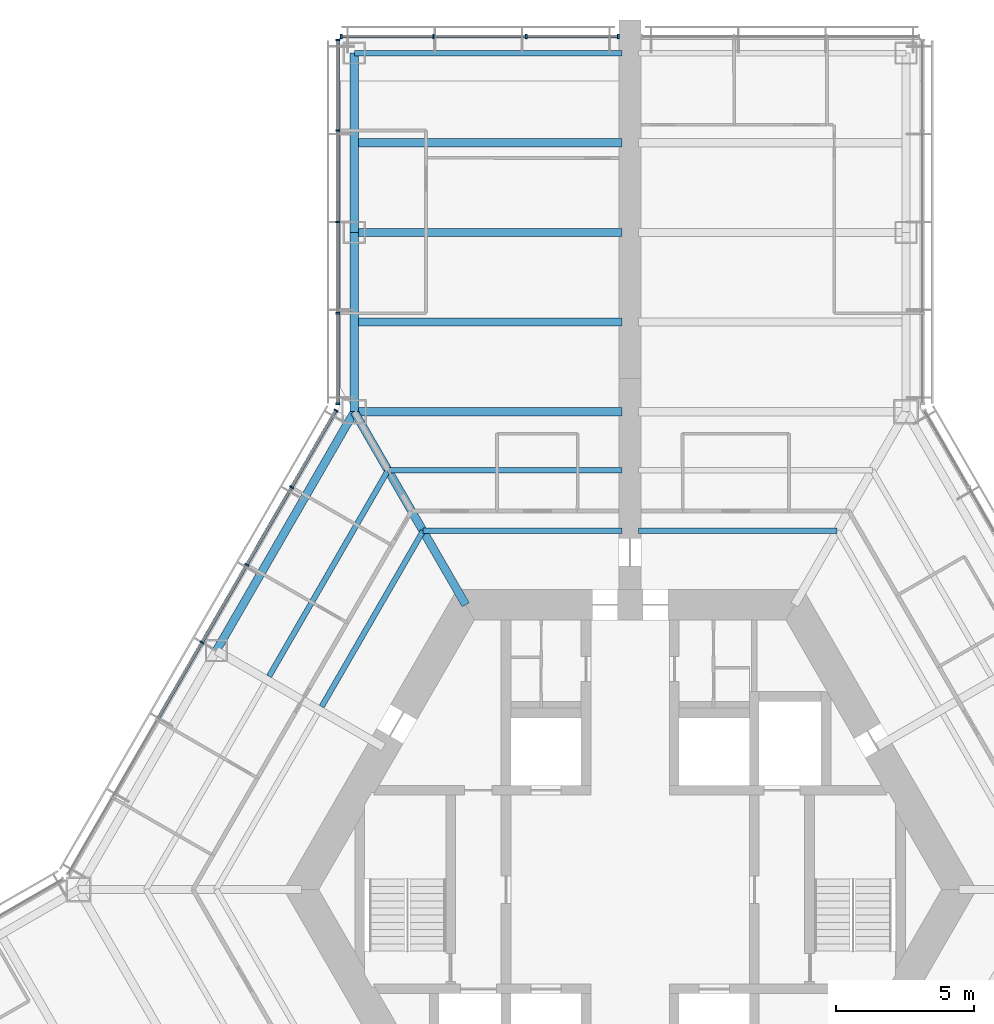
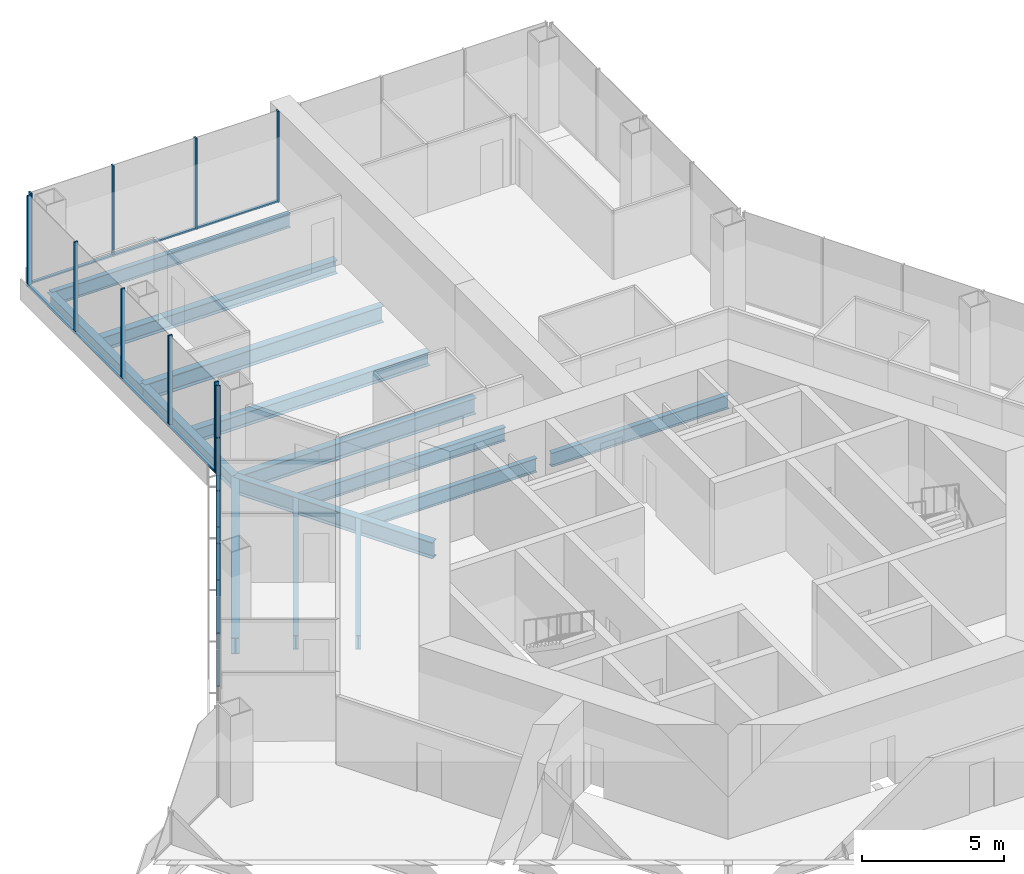
# One storey, part 7 of 19: 24 members, 14 beams, 3 elements without a shape of their own.
"""IFC4 building model written with IfcOpenShell, lengths in metres."""

from ifc_helpers import new_model, si_unit, direction, frame, origin, origin_2d, place, context, subcontext, project, spatial, rectangle, i_section, extrude, material, material_profile, profile_set, type_object, element, aggregate, save


model = new_model("IFC4")

# Units and contexts
model_context = context("Model", 3, precision=1e-05, world=origin(), true_north=direction((0.0, 1.0)))
body_context = subcontext(model_context, "Body", "Model", "MODEL_VIEW")
ifc_project = project(units=[si_unit("LENGTHUNIT", "METRE"), si_unit("AREAUNIT", "SQUARE_METRE"), si_unit("VOLUMEUNIT", "CUBIC_METRE"), si_unit("PLANEANGLEUNIT", "RADIAN"), si_unit("MASSUNIT", "GRAM", prefix="KILO")], contexts=[model_context])

# Site, building, storey
site_placement = place(None, origin())
site = spatial("IfcSite", under=ifc_project, at=site_placement, CompositionType="ELEMENT")
building_placement = place(site_placement, origin())
building = spatial("IfcBuilding", under=site, at=building_placement, Name="Kasaneha Research Tower", CompositionType="ELEMENT")
storey_placement = place(building_placement, frame((0.0, 0.0, 104.10009765625)))
storey = spatial("IfcBuildingStorey", under=building, at=storey_placement, Name="L26", CompositionType="ELEMENT", Elevation=104.10009765625)

# Beams
ifc_material_1 = material(Name="Steel SN490B", Category="steel")
ifc_material_profile_1 = material_profile(ifc_material_1, i_section(OverallWidth=0.199951171875, OverallDepth=0.60009765625, WebThickness=0.010986328125, FlangeThickness=0.01708984375, FilletRadius=0.012939453125, at=origin_2d()), Name="H-600x200x11x17")
ifc_profile_set_1 = profile_set([ifc_material_profile_1], Name="Steel SN490B")
beam_type_1 = type_object("IfcBeamType", Name="B1-3 secondary beam H-600x200x11x17", PredefinedType="JOIST", material=ifc_profile_set_1)
for number, where, z_axis, x_axis, name in (
    (1, (7.505615234375, 13.0, -0.4501953125), (-1.0, 0.0, 0.0), (0.0, -1.0, 0.0), "Secondary beam RS090L1 L26"),
    (2, (-7.505615234375, 13.0, -0.4501953125), (1.0, 0.0, 0.0), (0.0, 1.0, 0.0), "Secondary beam RS090R1 L26"),
):
    element("IfcBeam", number, at=place(storey_placement, frame(where, z_axis=z_axis, x_axis=x_axis)), inside=storey, type_object=beam_type_1, Name=name, PredefinedType="JOIST", context=body_context, shape_type="SweptSolid", body=[
        extrude(i_section(OverallWidth=0.199951171875, OverallDepth=0.60009765625, WebThickness=0.010986328125, FlangeThickness=0.01708984375, FilletRadius=0.012939453125, at=origin_2d()), origin(), (0.0, 0.0, 1.0), 7.20556640625),
    ])
beam_1_placement = place(storey_placement, frame((-8.775634765625, 15.199951171875, -0.4501953125), z_axis=(1.0, 0.0, 0.0), x_axis=(0.0, 1.0, 0.0)))
element("IfcBeam", 3, at=beam_1_placement, inside=storey, type_object=beam_type_1, Name="Secondary beam RS090R2 L26", PredefinedType="JOIST", context=body_context, shape_type="SweptSolid", body=[
    extrude(i_section(OverallWidth=0.199951171875, OverallDepth=0.60009765625, WebThickness=0.010986328125, FlangeThickness=0.01708984375, FilletRadius=0.012939453125, at=origin_2d()), origin(), (0.0, 0.0, 1.0), 8.4755859375),
])
beam_2_placement = place(storey_placement, frame((-7.505615234375, 13.0, -0.4501953125), z_axis=(-0.499994443168, -0.866028611999, 0.0), x_axis=(0.866028611999, -0.499994443168, 0.0)))
element("IfcBeam", 4, at=beam_2_placement, inside=storey, type_object=beam_type_1, Name="Secondary beam RS150L1 L26", PredefinedType="JOIST", context=body_context, shape_type="SweptSolid", body=[
    extrude(i_section(OverallWidth=0.199951171875, OverallDepth=0.60009765625, WebThickness=0.010986328125, FlangeThickness=0.01708984375, FilletRadius=0.012939453125, at=origin_2d()), origin(), (0.0, 0.0, 1.0), 7.35546875),
])
beam_3_placement = place(storey_placement, frame((-8.775634765625, 15.199951171875, -0.4501953125), z_axis=(-0.500017275495, -0.866015429543, 0.0), x_axis=(0.866015429543, -0.500017275495, 0.0)))
element("IfcBeam", 5, at=beam_3_placement, inside=storey, type_object=beam_type_1, Name="Secondary beam RS150L2 L26", PredefinedType="JOIST", context=body_context, shape_type="SweptSolid", body=[
    extrude(i_section(OverallWidth=0.199951171875, OverallDepth=0.60009765625, WebThickness=0.010986328125, FlangeThickness=0.01708984375, FilletRadius=0.012939453125, at=origin_2d()), origin(), (0.0, 0.0, 1.0), 8.625732421875),
])
ifc_material_2 = material(Name="Steel SN490B", Category="steel")
ifc_material_profile_2 = material_profile(ifc_material_2, i_section(OverallWidth=0.300048828125, OverallDepth=0.58203125, WebThickness=0.011962890625, FlangeThickness=0.01708984375, FilletRadius=0.012939453125, at=origin_2d()), Name="H-582x300x12x17")
ifc_profile_set_2 = profile_set([ifc_material_profile_2], Name="Steel SN490B")
beam_type_2 = type_object("IfcBeamType", Name="B2-3 secondary beam H-582x300x12x17", PredefinedType="JOIST", material=ifc_profile_set_2)
for number, where, z_axis, x_axis, name in (
    (6, (-10.0, 20.570556640625, -0.441162109375), (1.0, 0.0, 0.0), (0.0, 1.0, 0.0), "Secondary beam WBAN1 L26"),
    (7, (-10.0, 27.070556640625, -0.441162109375), (1.0, 0.0, 0.0), (0.0, 1.0, 0.0), "Secondary beam WBAN2 L26"),
):
    element("IfcBeam", number, at=place(storey_placement, frame(where, z_axis=z_axis, x_axis=x_axis)), inside=storey, type_object=beam_type_2, Name=name, PredefinedType="JOIST", context=body_context, shape_type="SweptSolid", body=[
        extrude(i_section(OverallWidth=0.300048828125, OverallDepth=0.58203125, WebThickness=0.011962890625, FlangeThickness=0.01708984375, FilletRadius=0.012939453125, at=origin_2d()), origin(), (0.0, 0.0, 1.0), 9.699951171875),
    ])

# Curtain wall, members
ifc_material_3 = material(Name="Glass and aluminium", Category="aluminium")
curtain_wall_type = type_object("IfcCurtainWallType", Name="Low-rise office curtain wall", PredefinedType="USERDEFINED", material=ifc_material_3)
curtain_wall_1_placement = place(storey_placement, origin())
curtain_wall_1 = element("IfcCurtainWall", 8, at=curtain_wall_1_placement, inside=storey, type_object=curtain_wall_type, Name="CW-O1 L26 run 10a", ObjectType="UNITISED CURTAIN WALL", PredefinedType="USERDEFINED")
ifc_material_4 = material(Name="Aluminium 6063-T6", Category="aluminium")
ifc_material_profile_3 = material_profile(ifc_material_4, rectangle(XDim=0.06005859375, YDim=0.159912109375, at=origin_2d()), Name="CW-O1 mullion 60x160")
ifc_profile_set_3 = profile_set([ifc_material_profile_3], Name="Aluminium 6063-T6")
member_type_1 = type_object("IfcMemberType", Name="CW-O1 mullion", PredefinedType="MULLION", material=ifc_profile_set_3)
member_1_placement = place(storey_placement, frame((-0.429931640625, 30.92041015625, 0.0), z_axis=(0.0, 0.0, 1.0), x_axis=(-1.0, 0.0, 0.0)))
member_1 = element("IfcMember", 9, at=member_1_placement, type_object=member_type_1, Name="CW-O1 mullion 1", PredefinedType="MULLION", context=body_context, shape_type="SweptSolid", body=[
    extrude(rectangle(XDim=0.06005859375, YDim=0.159912109375, at=origin_2d()), origin(), (0.0, 0.0, 1.0), 3.89990234375),
])
member_2_placement = place(storey_placement, frame((-3.7666015625, 30.92041015625, 0.0), z_axis=(0.0, 0.0, 1.0), x_axis=(-1.0, 0.0, 0.0)))
member_2 = element("IfcMember", 10, at=member_2_placement, type_object=member_type_1, Name="CW-O1 mullion 2", PredefinedType="MULLION", context=body_context, shape_type="SweptSolid", body=[
    extrude(rectangle(XDim=0.06005859375, YDim=0.159912109375, at=origin_2d()), origin(), (0.0, 0.0, 1.0), 3.89990234375),
])
member_3_placement = place(storey_placement, frame((-7.13330078125, 30.92041015625, 0.0), z_axis=(0.0, 0.0, 1.0), x_axis=(-1.0, 0.0, 0.0)))
member_3 = element("IfcMember", 11, at=member_3_placement, type_object=member_type_1, Name="CW-O1 mullion 3", PredefinedType="MULLION", context=body_context, shape_type="SweptSolid", body=[
    extrude(rectangle(XDim=0.06005859375, YDim=0.159912109375, at=origin_2d()), origin(), (0.0, 0.0, 1.0), 3.89990234375),
])
member_4_placement = place(storey_placement, frame((-10.469970703125, 30.92041015625, 0.0), z_axis=(0.0, 0.0, 1.0), x_axis=(-1.0, 0.0, 0.0)))
member_4 = element("IfcMember", 12, at=member_4_placement, type_object=member_type_1, Name="CW-O1 mullion 4", PredefinedType="MULLION", context=body_context, shape_type="SweptSolid", body=[
    extrude(rectangle(XDim=0.06005859375, YDim=0.159912109375, at=origin_2d()), origin(), (0.0, 0.0, 1.0), 3.89990234375),
])

curtain_wall_2_placement = place(storey_placement, origin())
curtain_wall_2 = element("IfcCurtainWall", 13, at=curtain_wall_2_placement, inside=storey, type_object=curtain_wall_type, Name="CW-O1 L26 run 11a", ObjectType="UNITISED CURTAIN WALL", PredefinedType="USERDEFINED")
member_5_placement = place(storey_placement, frame((-10.60009765625, 30.79052734375, 0.0), z_axis=(0.0, 0.0, 1.0), x_axis=(0.0, -1.0, 0.0)))
member_5 = element("IfcMember", 14, at=member_5_placement, type_object=member_type_1, Name="CW-O1 mullion 1", PredefinedType="MULLION", context=body_context, shape_type="SweptSolid", body=[
    extrude(rectangle(XDim=0.06005859375, YDim=0.159912109375, at=origin_2d()), origin(), (0.0, 0.0, 1.0), 3.89990234375),
])
member_6_placement = place(storey_placement, frame((-10.60009765625, 27.5107421875, 0.0), z_axis=(0.0, 0.0, 1.0), x_axis=(0.0, -1.0, 0.0)))
member_6 = element("IfcMember", 15, at=member_6_placement, type_object=member_type_1, Name="CW-O1 mullion 2", PredefinedType="MULLION", context=body_context, shape_type="SweptSolid", body=[
    extrude(rectangle(XDim=0.06005859375, YDim=0.159912109375, at=origin_2d()), origin(), (0.0, 0.0, 1.0), 3.89990234375),
])
member_7_placement = place(storey_placement, frame((-10.60009765625, 24.200927734375, 0.0), z_axis=(0.0, 0.0, 1.0), x_axis=(0.0, -1.0, 0.0)))
member_7 = element("IfcMember", 16, at=member_7_placement, type_object=member_type_1, Name="CW-O1 mullion 3", PredefinedType="MULLION", context=body_context, shape_type="SweptSolid", body=[
    extrude(rectangle(XDim=0.06005859375, YDim=0.159912109375, at=origin_2d()), origin(), (0.0, 0.0, 1.0), 3.89990234375),
])
member_8_placement = place(storey_placement, frame((-10.60009765625, 20.89111328125, 0.0), z_axis=(0.0, 0.0, 1.0), x_axis=(0.0, -1.0, 0.0)))
member_8 = element("IfcMember", 17, at=member_8_placement, type_object=member_type_1, Name="CW-O1 mullion 4", PredefinedType="MULLION", context=body_context, shape_type="SweptSolid", body=[
    extrude(rectangle(XDim=0.06005859375, YDim=0.159912109375, at=origin_2d()), origin(), (0.0, 0.0, 1.0), 3.89990234375),
])
member_9_placement = place(storey_placement, frame((-10.60009765625, 17.611328125, 0.0), z_axis=(0.0, 0.0, 1.0), x_axis=(0.0, -1.0, 0.0)))
member_9 = element("IfcMember", 18, at=member_9_placement, type_object=member_type_1, Name="CW-O1 mullion 5", PredefinedType="MULLION", context=body_context, shape_type="SweptSolid", body=[
    extrude(rectangle(XDim=0.06005859375, YDim=0.159912109375, at=origin_2d()), origin(), (0.0, 0.0, 1.0), 3.89990234375),
])

curtain_wall_3_placement = place(storey_placement, origin())
curtain_wall_3 = element("IfcCurtainWall", 19, at=curtain_wall_3_placement, inside=storey, type_object=curtain_wall_type, Name="CW-O1 L26 run 12a", ObjectType="UNITISED CURTAIN WALL", PredefinedType="USERDEFINED")
member_10_placement = place(storey_placement, frame((-10.6650390625, 17.36865234375, 0.0), z_axis=(0.0, 0.0, 1.0), x_axis=(-0.49999996188, -0.866025425793, 0.0)))
member_10 = element("IfcMember", 20, at=member_10_placement, type_object=member_type_1, Name="CW-O1 mullion 1", PredefinedType="MULLION", context=body_context, shape_type="SweptSolid", body=[
    extrude(rectangle(XDim=0.06005859375, YDim=0.159912109375, at=origin_2d()), origin(), (0.0, 0.0, 1.0), 3.89990234375),
])
member_11_placement = place(storey_placement, frame((-12.273193359375, 14.583251953125, 0.0), z_axis=(0.0, 0.0, 1.0), x_axis=(-0.49999996188, -0.866025425793, 0.0)))
member_11 = element("IfcMember", 21, at=member_11_placement, type_object=member_type_1, Name="CW-O1 mullion 2", PredefinedType="MULLION", context=body_context, shape_type="SweptSolid", body=[
    extrude(rectangle(XDim=0.06005859375, YDim=0.159912109375, at=origin_2d()), origin(), (0.0, 0.0, 1.0), 3.89990234375),
])
member_12_placement = place(storey_placement, frame((-13.896484375, 11.771728515625, 0.0), z_axis=(0.0, 0.0, 1.0), x_axis=(-0.49999996188, -0.866025425793, 0.0)))
member_12 = element("IfcMember", 22, at=member_12_placement, type_object=member_type_1, Name="CW-O1 mullion 3", PredefinedType="MULLION", context=body_context, shape_type="SweptSolid", body=[
    extrude(rectangle(XDim=0.06005859375, YDim=0.159912109375, at=origin_2d()), origin(), (0.0, 0.0, 1.0), 3.89990234375),
])
member_13_placement = place(storey_placement, frame((-15.51953125, 8.960205078125, 0.0), z_axis=(0.0, 0.0, 1.0), x_axis=(-0.49999996188, -0.866025425793, 0.0)))
member_13 = element("IfcMember", 23, at=member_13_placement, type_object=member_type_1, Name="CW-O1 mullion 4", PredefinedType="MULLION", context=body_context, shape_type="SweptSolid", body=[
    extrude(rectangle(XDim=0.06005859375, YDim=0.159912109375, at=origin_2d()), origin(), (0.0, 0.0, 1.0), 3.89990234375),
])

# Member
ifc_material_5 = material(Name="Aluminium 6063-T6", Category="aluminium")
ifc_material_profile_4 = material_profile(ifc_material_5, rectangle(XDim=0.1201171875, YDim=0.06005859375, at=origin_2d()), Name="CW-O1 transom 120x60")
ifc_profile_set_4 = profile_set([ifc_material_profile_4], Name="Aluminium 6063-T6")
member_type_2 = type_object("IfcMemberType", Name="CW-O1 transom", PredefinedType="USERDEFINED", material=ifc_profile_set_4)
member_14_placement = place(storey_placement, frame((-0.4599609375, 30.92041015625, 0.02978515625), z_axis=(-1.0, 0.0, 0.0), x_axis=(0.0, -1.0, 0.0)))
member_14 = element("IfcMember", 24, at=member_14_placement, type_object=member_type_2, Name="CW-O1 transom 1", ObjectType="TRANSOM", PredefinedType="USERDEFINED", context=body_context, shape_type="SweptSolid", body=[
    extrude(rectangle(XDim=0.1201171875, YDim=0.06005859375, at=origin_2d()), origin(), (0.0, 0.0, 1.0), 3.276611328125),
])

member_15_placement = place(storey_placement, frame((-3.796630859375, 30.92041015625, 0.02978515625), z_axis=(-1.0, 0.0, 0.0), x_axis=(0.0, -1.0, 0.0)))
member_15 = element("IfcMember", 25, at=member_15_placement, type_object=member_type_2, Name="CW-O1 transom 2", ObjectType="TRANSOM", PredefinedType="USERDEFINED", context=body_context, shape_type="SweptSolid", body=[
    extrude(rectangle(XDim=0.1201171875, YDim=0.06005859375, at=origin_2d()), origin(), (0.0, 0.0, 1.0), 3.306640625),
])

member_16_placement = place(storey_placement, frame((-7.163330078125, 30.92041015625, 0.02978515625), z_axis=(-1.0, 0.0, 0.0), x_axis=(0.0, -1.0, 0.0)))
member_16 = element("IfcMember", 26, at=member_16_placement, type_object=member_type_2, Name="CW-O1 transom 3", ObjectType="TRANSOM", PredefinedType="USERDEFINED", context=body_context, shape_type="SweptSolid", body=[
    extrude(rectangle(XDim=0.1201171875, YDim=0.06005859375, at=origin_2d()), origin(), (0.0, 0.0, 1.0), 3.276611328125),
])

aggregate(curtain_wall_1, [member_1, member_2, member_3, member_4, member_14, member_15, member_16])

member_17_placement = place(storey_placement, frame((-10.60009765625, 30.760498046875, 0.02978515625), z_axis=(0.0, -1.0, 0.0), x_axis=(1.0, 0.0, 0.0)))
member_17 = element("IfcMember", 27, at=member_17_placement, type_object=member_type_2, Name="CW-O1 transom 1", ObjectType="TRANSOM", PredefinedType="USERDEFINED", context=body_context, shape_type="SweptSolid", body=[
    extrude(rectangle(XDim=0.1201171875, YDim=0.06005859375, at=origin_2d()), origin(), (0.0, 0.0, 1.0), 3.2197265625),
])

member_18_placement = place(storey_placement, frame((-10.60009765625, 27.480712890625, 0.02978515625), z_axis=(0.0, -1.0, 0.0), x_axis=(1.0, 0.0, 0.0)))
member_18 = element("IfcMember", 28, at=member_18_placement, type_object=member_type_2, Name="CW-O1 transom 2", ObjectType="TRANSOM", PredefinedType="USERDEFINED", context=body_context, shape_type="SweptSolid", body=[
    extrude(rectangle(XDim=0.1201171875, YDim=0.06005859375, at=origin_2d()), origin(), (0.0, 0.0, 1.0), 3.249755859375),
])

member_19_placement = place(storey_placement, frame((-10.60009765625, 24.1708984375, 0.02978515625), z_axis=(0.0, -1.0, 0.0), x_axis=(1.0, 0.0, 0.0)))
member_19 = element("IfcMember", 29, at=member_19_placement, type_object=member_type_2, Name="CW-O1 transom 3", ObjectType="TRANSOM", PredefinedType="USERDEFINED", context=body_context, shape_type="SweptSolid", body=[
    extrude(rectangle(XDim=0.1201171875, YDim=0.06005859375, at=origin_2d()), origin(), (0.0, 0.0, 1.0), 3.249755859375),
])

member_20_placement = place(storey_placement, frame((-10.60009765625, 20.861083984375, 0.02978515625), z_axis=(0.0, -1.0, 0.0), x_axis=(1.0, 0.0, 0.0)))
member_20 = element("IfcMember", 30, at=member_20_placement, type_object=member_type_2, Name="CW-O1 transom 4", ObjectType="TRANSOM", PredefinedType="USERDEFINED", context=body_context, shape_type="SweptSolid", body=[
    extrude(rectangle(XDim=0.1201171875, YDim=0.06005859375, at=origin_2d()), origin(), (0.0, 0.0, 1.0), 3.2197265625),
])

aggregate(curtain_wall_2, [member_5, member_6, member_7, member_8, member_9, member_17, member_18, member_19, member_20])

member_21_placement = place(storey_placement, frame((-10.679931640625, 17.3427734375, 0.02978515625), z_axis=(-0.500023726918, -0.866011704609, 0.0), x_axis=(0.866011704609, -0.500023726918, 0.0)))
member_21 = element("IfcMember", 31, at=member_21_placement, type_object=member_type_2, Name="CW-O1 transom 1", ObjectType="TRANSOM", PredefinedType="USERDEFINED", context=body_context, shape_type="SweptSolid", body=[
    extrude(rectangle(XDim=0.1201171875, YDim=0.06005859375, at=origin_2d()), origin(), (0.0, 0.0, 1.0), 3.156494140625),
])

member_22_placement = place(storey_placement, frame((-12.2880859375, 14.55712890625, 0.02978515625), z_axis=(-0.500012062035, -0.866018439653, 0.0), x_axis=(0.866018439653, -0.500012062035, 0.0)))
member_22 = element("IfcMember", 32, at=member_22_placement, type_object=member_type_2, Name="CW-O1 transom 2", ObjectType="TRANSOM", PredefinedType="USERDEFINED", context=body_context, shape_type="SweptSolid", body=[
    extrude(rectangle(XDim=0.1201171875, YDim=0.06005859375, at=origin_2d()), origin(), (0.0, 0.0, 1.0), 3.1865234375),
])

member_23_placement = place(storey_placement, frame((-13.911376953125, 11.745849609375, 0.02978515625), z_axis=(-0.500012062035, -0.866018439653, 0.0), x_axis=(0.866018439653, -0.500012062035, 0.0)))
member_23 = element("IfcMember", 33, at=member_23_placement, type_object=member_type_2, Name="CW-O1 transom 3", ObjectType="TRANSOM", PredefinedType="USERDEFINED", context=body_context, shape_type="SweptSolid", body=[
    extrude(rectangle(XDim=0.1201171875, YDim=0.06005859375, at=origin_2d()), origin(), (0.0, 0.0, 1.0), 3.1865234375),
])

member_24_placement = place(storey_placement, frame((-15.53466796875, 8.934326171875, 0.02978515625), z_axis=(-0.500012062035, -0.866018439653, 0.0), x_axis=(0.866018439653, -0.500012062035, 0.0)))
member_24 = element("IfcMember", 34, at=member_24_placement, type_object=member_type_2, Name="CW-O1 transom 4", ObjectType="TRANSOM", PredefinedType="USERDEFINED", context=body_context, shape_type="SweptSolid", body=[
    extrude(rectangle(XDim=0.1201171875, YDim=0.06005859375, at=origin_2d()), origin(), (0.0, 0.0, 1.0), 3.1865234375),
])

aggregate(curtain_wall_3, [member_10, member_11, member_12, member_13, member_21, member_22, member_23, member_24])

# Beams
ifc_material_6 = material(Name="Steel SN490B", Category="steel")
ifc_material_profile_5 = material_profile(ifc_material_6, i_section(OverallWidth=0.300048828125, OverallDepth=0.699951171875, WebThickness=0.012939453125, FlangeThickness=0.02392578125, FilletRadius=0.01806640625, at=origin_2d()), Name="H-700x300x13x24")
ifc_profile_set_5 = profile_set([ifc_material_profile_5], Name="Steel SN490B")
beam_type_3 = type_object("IfcBeamType", Name="G1-3 radial girder H-700x300x13x24", PredefinedType="BEAM", material=ifc_profile_set_5)
beam_4_placement = place(storey_placement, frame((-5.961181640625, 10.324951171875, -0.5), z_axis=(-0.49999105496, 0.866030568144, 0.0), x_axis=(-0.866030568144, -0.49999105496, 0.0)))
element("IfcBeam", 35, at=beam_4_placement, inside=storey, type_object=beam_type_3, Name="Radial girder RV120 L26", PredefinedType="BEAM", context=body_context, shape_type="SweptSolid", body=[
    extrude(i_section(OverallWidth=0.300048828125, OverallDepth=0.699951171875, WebThickness=0.012939453125, FlangeThickness=0.02392578125, FilletRadius=0.01806640625, at=origin_2d()), origin(), (0.0, 0.0, 1.0), 8.077880859375),
])
ifc_material_7 = material(Name="Steel SN490B", Category="steel")
ifc_material_profile_6 = material_profile(ifc_material_7, i_section(OverallWidth=0.300048828125, OverallDepth=0.69189453125, WebThickness=0.012939453125, FlangeThickness=0.02001953125, FilletRadius=0.01806640625, at=origin_2d()), Name="H-692x300x13x20")
ifc_profile_set_6 = profile_set([ifc_material_profile_6], Name="Steel SN490B")
beam_type_4 = type_object("IfcBeamType", Name="G3-3 plate edge girder H-692x300x13x20", PredefinedType="BEAM", material=ifc_profile_set_6)
beam_5_placement = place(storey_placement, frame((-10.0, 17.320556640625, -0.49609375), z_axis=(1.0, 0.0, 0.0), x_axis=(0.0, 1.0, 0.0)))
element("IfcBeam", 36, at=beam_5_placement, inside=storey, type_object=beam_type_4, Name="Plate edge girder PEAN L26", PredefinedType="BEAM", context=body_context, shape_type="SweptSolid", body=[
    extrude(i_section(OverallWidth=0.300048828125, OverallDepth=0.69189453125, WebThickness=0.012939453125, FlangeThickness=0.02001953125, FilletRadius=0.01806640625, at=origin_2d()), origin(), (0.0, 0.0, 1.0), 9.699951171875),
])
ifc_material_8 = material(Name="Steel SN490B", Category="steel")
ifc_material_profile_7 = material_profile(ifc_material_8, i_section(OverallWidth=0.300048828125, OverallDepth=0.699951171875, WebThickness=0.012939453125, FlangeThickness=0.02392578125, FilletRadius=0.01806640625, at=origin_2d()), Name="H-700x300x13x24")
ifc_profile_set_7 = profile_set([ifc_material_profile_7], Name="Steel SN490B")
beam_type_5 = type_object("IfcBeamType", Name="G4-3 wing girder H-700x300x13x24", PredefinedType="BEAM", material=ifc_profile_set_7)
beam_6_placement = place(storey_placement, frame((-10.0, 23.820556640625, -0.5), z_axis=(1.0, 0.0, 0.0), x_axis=(0.0, 1.0, 0.0)))
element("IfcBeam", 37, at=beam_6_placement, inside=storey, type_object=beam_type_5, Name="Wing girder WGAN L26", PredefinedType="BEAM", context=body_context, shape_type="SweptSolid", body=[
    extrude(i_section(OverallWidth=0.300048828125, OverallDepth=0.699951171875, WebThickness=0.012939453125, FlangeThickness=0.02392578125, FilletRadius=0.01806640625, at=origin_2d()), origin(), (0.0, 0.0, 1.0), 9.699951171875),
])
ifc_material_9 = material(Name="Steel SN490B", Category="steel")
ifc_material_profile_8 = material_profile(ifc_material_9, i_section(OverallWidth=0.300048828125, OverallDepth=0.69189453125, WebThickness=0.012939453125, FlangeThickness=0.02001953125, FilletRadius=0.01806640625, at=origin_2d()), Name="H-692x300x13x20")
ifc_profile_set_8 = profile_set([ifc_material_profile_8], Name="Steel SN490B")
beam_type_6 = type_object("IfcBeamType", Name="SB1-3 spandrel beam H-692x300x13x20", PredefinedType="SPANDREL", material=ifc_profile_set_8)
beam_7_placement = place(storey_placement, frame((-10.0, 17.320556640625, -0.49609375), z_axis=(-0.499993662806, -0.866029062534, 0.0), x_axis=(0.866029062534, -0.499993662806, 0.0)))
element("IfcBeam", 38, at=beam_7_placement, inside=storey, type_object=beam_type_6, Name="Spandrel beam SR150L L26", PredefinedType="SPANDREL", context=body_context, shape_type="SweptSolid", body=[
    extrude(i_section(OverallWidth=0.300048828125, OverallDepth=0.69189453125, WebThickness=0.012939453125, FlangeThickness=0.02001953125, FilletRadius=0.01806640625, at=origin_2d()), origin(), (0.0, 0.0, 1.0), 10.000244140625),
])
ifc_material_10 = material(Name="Steel SN490B", Category="steel")
ifc_material_profile_9 = material_profile(ifc_material_10, i_section(OverallWidth=0.300048828125, OverallDepth=0.58203125, WebThickness=0.011962890625, FlangeThickness=0.01708984375, FilletRadius=0.012939453125, at=origin_2d()), Name="H-582x300x12x17")
ifc_profile_set_9 = profile_set([ifc_material_profile_9], Name="Steel SN490B")
beam_type_7 = type_object("IfcBeamType", Name="SB2-3 spandrel beam H-582x300x12x17", PredefinedType="SPANDREL", material=ifc_profile_set_9)
for number, where, z_axis, x_axis, name in (
    (39, (-10.0, 17.320556640625, -0.441162109375), (0.0, 1.0, 0.0), (-1.0, 0.0, 0.0), "Spandrel beam WSAN1 L26"),
    (40, (-10.0, 23.820556640625, -0.441162109375), (0.0, 1.0, 0.0), (-1.0, 0.0, 0.0), "Spandrel beam WSAN2 L26"),
):
    element("IfcBeam", number, at=place(storey_placement, frame(where, z_axis=z_axis, x_axis=x_axis)), inside=storey, type_object=beam_type_7, Name=name, PredefinedType="SPANDREL", context=body_context, shape_type="SweptSolid", body=[
        extrude(i_section(OverallWidth=0.300048828125, OverallDepth=0.58203125, WebThickness=0.011962890625, FlangeThickness=0.01708984375, FilletRadius=0.012939453125, at=origin_2d()), origin(), (0.0, 0.0, 1.0), 6.5),
    ])
ifc_material_11 = material(Name="Steel SN490B", Category="steel")
ifc_material_profile_10 = material_profile(ifc_material_11, i_section(OverallWidth=0.199951171875, OverallDepth=0.60009765625, WebThickness=0.010986328125, FlangeThickness=0.01708984375, FilletRadius=0.012939453125, at=origin_2d()), Name="H-600x200x11x17")
ifc_profile_set_10 = profile_set([ifc_material_profile_10], Name="Steel SN490B")
beam_type_8 = type_object("IfcBeamType", Name="SB3-3 spandrel beam H-600x200x11x17", PredefinedType="SPANDREL", material=ifc_profile_set_10)
beam_8_placement = place(storey_placement, frame((-10.0, 30.320556640625, -0.4501953125), z_axis=(1.0, 0.0, 0.0), x_axis=(0.0, 1.0, 0.0)))
element("IfcBeam", 41, at=beam_8_placement, inside=storey, type_object=beam_type_8, Name="Spandrel beam WTAN L26", PredefinedType="SPANDREL", context=body_context, shape_type="SweptSolid", body=[
    extrude(i_section(OverallWidth=0.199951171875, OverallDepth=0.60009765625, WebThickness=0.010986328125, FlangeThickness=0.01708984375, FilletRadius=0.012939453125, at=origin_2d()), origin(), (0.0, 0.0, 1.0), 9.699951171875),
])

save(model, "model.ifc")
